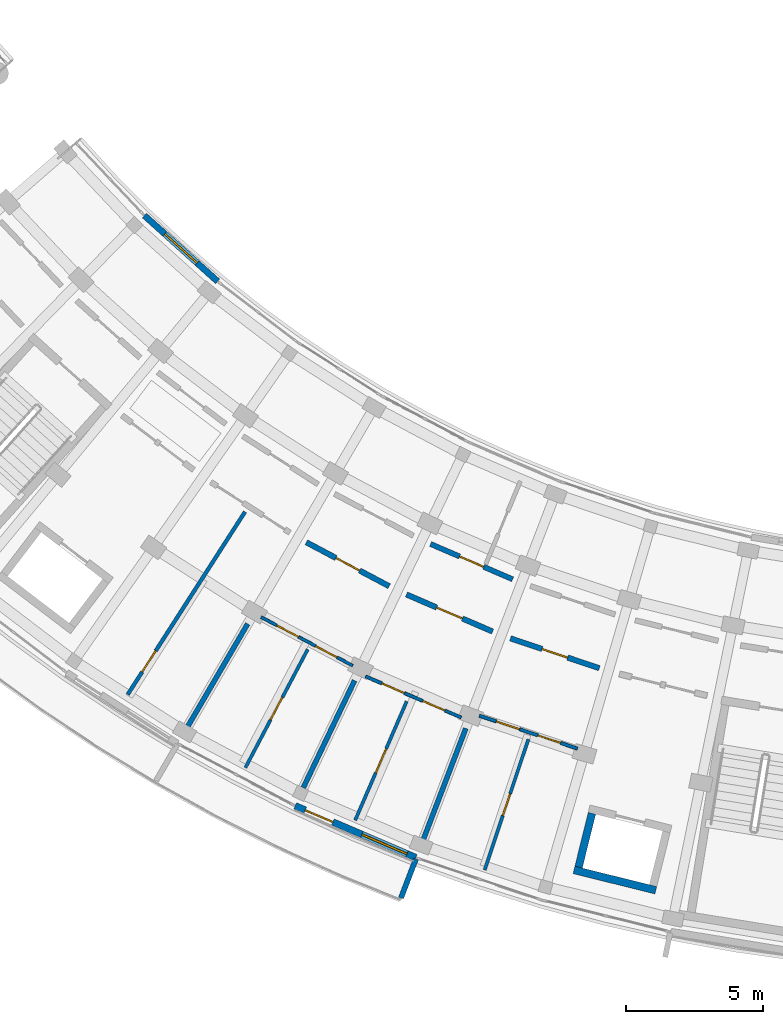
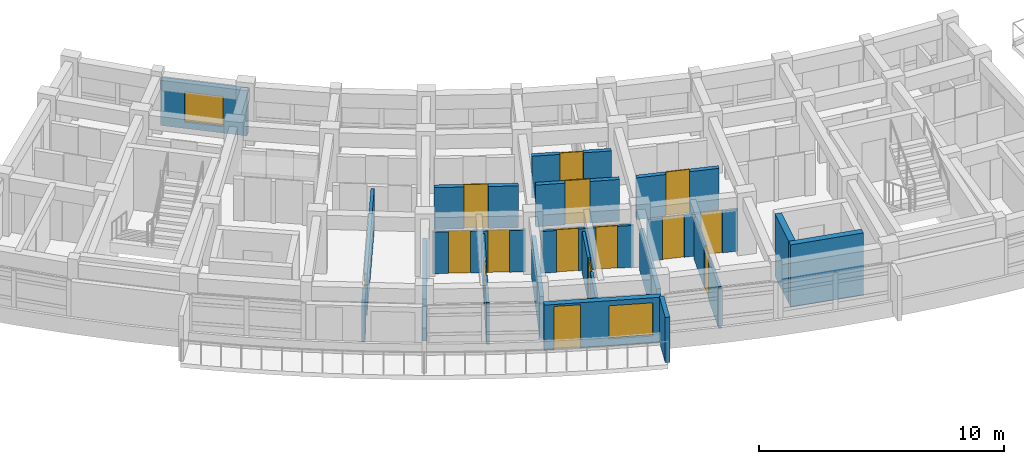
# One storey, part 33 of 54: 19 walls, 15 doors, 2 windows, 17 openings.
"""IFC4 building model written with IfcOpenShell, lengths in metres."""

from ifc_helpers import new_model, si_unit, direction, frame, frame_2d, origin, place, context, subcontext, project, spatial, rectangle, extrude, material, layer, layer_set, type_object, element, fill, save


model = new_model("IFC4")

# Units and contexts
model_context = context("Model", 3, precision=1e-05, world=origin(), true_north=direction((0.0, 1.0)))
body_context = subcontext(model_context, "Body", "Model", "MODEL_VIEW")
ifc_project = project(units=[si_unit("LENGTHUNIT", "METRE"), si_unit("AREAUNIT", "SQUARE_METRE"), si_unit("VOLUMEUNIT", "CUBIC_METRE"), si_unit("PLANEANGLEUNIT", "RADIAN"), si_unit("MASSUNIT", "GRAM", prefix="KILO")], contexts=[model_context])

# Site, building, storey
site_placement = place(None, origin())
site = spatial("IfcSite", under=ifc_project, at=site_placement, CompositionType="ELEMENT")
building_placement = place(site_placement, origin())
building = spatial("IfcBuilding", under=site, at=building_placement, Name="Zimvara Arc Housing Community", CompositionType="ELEMENT")
storey_placement = place(building_placement, frame((0.0, 0.0, 20.5)))
storey = spatial("IfcBuildingStorey", under=building, at=storey_placement, Name="L06", CompositionType="ELEMENT", Elevation=20.5)

# Wall, opening, window
ifc_material_1 = material(Name="Board-Marked Fair-Faced Concrete C35/45", Category="concrete")
ifc_layer_1 = layer(ifc_material_1, 0.22998046875)
ifc_layer_set_1 = layer_set([ifc_layer_1], Name="Board-Marked Fair-Faced Concrete C35/45")
wall_type_1 = type_object("IfcWallType", Name="EWL-CONC-230", PredefinedType="SOLIDWALL", material=ifc_layer_set_1)
wall_1_placement = place(storey_placement, frame((94.8203125, 77.92333984375, 0.0), z_axis=(0.0, 0.0, 1.0), x_axis=(0.743385092197, -0.668863666751, 0.0)))
wall_1 = element("IfcWall", 1, at=wall_1_placement, inside=storey, type_object=wall_type_1, Name="ewall:blkC:L06:in:b1", PredefinedType="SOLIDWALL", context=body_context, shape_type="SweptSolid", body=[
    extrude(rectangle(XDim=3.603759765625, YDim=0.22998046875, at=frame_2d((1.8017578125, 0.0))), origin(), (0.0, 0.0, 1.0), 2.25),
])
opening_1_placement = place(wall_1_placement, frame((1.001708984375, 0.0, 0.320068359375)))
opening_1 = element("IfcOpeningElement", 2, at=opening_1_placement, cuts=wall_1, Name="Opening W03", PredefinedType="OPENING", context=body_context, shape_type="SweptSolid", body=[
    extrude(rectangle(XDim=1.60009765625, YDim=1.5, at=frame_2d((0.800048828125, 0.75))), frame((0.0, 0.125, 0.0), z_axis=(0.0, -1.0, 0.0), x_axis=(1.0, 0.0, 0.0)), (0.0, 0.0, 1.0), 0.25),
])
ifc_material_2 = material(Name="Solar Control Low-E Double Glazing", Category="glass")
window_type_1 = type_object("IfcWindowType", Name="WIN-RES-1600x1500", PartitioningType="DOUBLE_PANEL_VERTICAL", PredefinedType="WINDOW", material=ifc_material_2)
window_1_placement = place(opening_1_placement, origin())
window_1 = element("IfcWindow", 3, at=window_1_placement, inside=storey, type_object=window_type_1, Name="win:blkC:L06:in:b1", OverallHeight=1.5, OverallWidth=1.60009765625, PartitioningType="DOUBLE_PANEL_VERTICAL", PredefinedType="WINDOW", context=body_context, shape_type="SweptSolid", body=[
    extrude(rectangle(XDim=1.60009765625, YDim=1.5, at=frame_2d((0.800048828125, 0.75))), frame((0.0, 0.030029296875, 0.0), z_axis=(0.0, -1.0, 0.0), x_axis=(1.0, 0.0, 0.0)), (0.0, 0.0, 1.0), 0.06005859375),
])
fill(opening_1, window_1)

# Wall
ifc_material_3 = material(Name="Board-Marked Fair-Faced Concrete C35/45", Category="concrete")
ifc_layer_2 = layer(ifc_material_3, 0.195068359375)
ifc_layer_set_2 = layer_set([ifc_layer_2], Name="Board-Marked Fair-Faced Concrete C35/45")
wall_type_2 = type_object("IfcWallType", Name="EWL-PARA-195", PredefinedType="PARAPET", material=ifc_layer_set_2)
wall_2_placement = place(storey_placement, frame((104.76318359375, 54.35693359375, 0.0), z_axis=(0.0, 0.0, 1.0), x_axis=(-0.356957296461, -0.934120703391, 0.0)))
element("IfcWall", 4, at=wall_2_placement, inside=storey, type_object=wall_type_2, Name="finwall:blkC:L06:out:b6", PredefinedType="PARAPET", context=body_context, shape_type="SweptSolid", body=[
    extrude(rectangle(XDim=1.530029296875, YDim=0.195068359375, at=frame_2d((0.76513671875, 0.0))), origin(), (0.0, 0.0, 1.0), 2.25),
])

# Wall, openings, door, window
ifc_material_4 = material(Name="Board-Marked Fair-Faced Concrete C35/45", Category="concrete")
ifc_layer_3 = layer(ifc_material_4, 0.251953125)
ifc_layer_set_3 = layer_set([ifc_layer_3], Name="Board-Marked Fair-Faced Concrete C35/45")
wall_type_3 = type_object("IfcWallType", Name="EWL-VAR-18", PredefinedType="SOLIDWALL", material=ifc_layer_set_3)
wall_3_placement = place(storey_placement, frame((100.341064453125, 56.30126953125, 0.0), z_axis=(0.0, 0.0, 1.0), x_axis=(0.918737524932, -0.39486878869, 0.0)))
wall_3 = element("IfcWall", 5, at=wall_3_placement, inside=storey, type_object=wall_type_3, Name="ewall:blkC:L06:out:b5", PredefinedType="SOLIDWALL", context=body_context, shape_type="SweptSolid", body=[
    extrude(rectangle(XDim=4.80908203125, YDim=0.251953125, at=frame_2d((2.404541015625, 0.0))), origin(), (0.0, 0.0, 1.0), 2.25),
])
opening_2_placement = place(wall_3_placement, frame((0.39990234375, 0.0, 0.0)))
opening_2 = element("IfcOpeningElement", 6, at=opening_2_placement, cuts=wall_3, Name="Opening ED06", PredefinedType="OPENING", context=body_context, shape_type="SweptSolid", body=[
    extrude(rectangle(XDim=1.10009765625, YDim=2.14990234375, at=frame_2d((0.550048828125, 1.074951171875))), frame((0.0, 0.135986328125, 0.0), z_axis=(0.0, -1.0, 0.0), x_axis=(1.0, 0.0, 0.0)), (0.0, 0.0, 1.0), 0.27197265625),
])
opening_3_placement = place(wall_3_placement, frame((2.658935546875, 0.0, 0.35009765625)))
opening_3 = element("IfcOpeningElement", 7, at=opening_3_placement, cuts=wall_3, Name="Opening W08", PredefinedType="OPENING", context=body_context, shape_type="SweptSolid", body=[
    extrude(rectangle(XDim=1.800048828125, YDim=1.64990234375, at=frame_2d((0.89990234375, 0.824951171875))), frame((0.0, 0.135986328125, 0.0), z_axis=(0.0, -1.0, 0.0), x_axis=(1.0, 0.0, 0.0)), (0.0, 0.0, 1.0), 0.27197265625),
])
ifc_material_5 = material(Name="Anodised Aluminium AW-6063", Category="aluminium")
door_type_1 = type_object("IfcDoorType", Name="EDR-TERR-1100x2150", OperationType="NOTDEFINED", PredefinedType="DOOR", material=ifc_material_5)
door_1_placement = place(opening_2_placement, origin())
door_1 = element("IfcDoor", 8, at=door_1_placement, inside=storey, type_object=door_type_1, Name="edoor:blkC:L06:bal_out:b5", OperationType="SINGLE_SWING_LEFT", OverallHeight=2.14990234375, OverallWidth=1.10009765625, PredefinedType="DOOR", context=body_context, shape_type="SweptSolid", body=[
    extrude(rectangle(XDim=1.10009765625, YDim=2.14990234375, at=frame_2d((0.550048828125, 1.074951171875))), frame((0.0, 0.02490234375, 0.0), z_axis=(0.0, -1.0, 0.0), x_axis=(1.0, 0.0, 0.0)), (0.0, 0.0, 1.0), 0.050048828125),
])
fill(opening_2, door_1)
ifc_material_6 = material(Name="Solar Control Low-E Double Glazing", Category="glass")
window_type_2 = type_object("IfcWindowType", Name="WIN-RES-1800x1650", PartitioningType="TRIPLE_PANEL_VERTICAL", PredefinedType="WINDOW", material=ifc_material_6)
window_2_placement = place(opening_3_placement, origin())
window_2 = element("IfcWindow", 9, at=window_2_placement, inside=storey, type_object=window_type_2, Name="win:blkC:L06:out:b5:balw", OverallHeight=1.64990234375, OverallWidth=1.800048828125, PartitioningType="TRIPLE_PANEL_VERTICAL", PredefinedType="WINDOW", context=body_context, shape_type="SweptSolid", body=[
    extrude(rectangle(XDim=1.800048828125, YDim=1.64990234375, at=frame_2d((0.89990234375, 0.824951171875))), frame((0.0, 0.030029296875, 0.0), z_axis=(0.0, -1.0, 0.0), x_axis=(1.0, 0.0, 0.0)), (0.0, 0.0, 1.0), 0.06005859375),
])
fill(opening_3, window_2)

# Wall, opening, door
ifc_material_7 = material(Name="Concrete C35/45", Category="concrete")
ifc_layer_4 = layer(ifc_material_7, 0.18994140625)
ifc_layer_set_4 = layer_set([ifc_layer_4], Name="Concrete C35/45")
wall_type_4 = type_object("IfcWallType", Name="IWL-CORR-190", PredefinedType="SOLIDWALL", material=ifc_layer_set_4)
wall_4_placement = place(storey_placement, frame((105.30224609375, 65.892822265625, 0.0), z_axis=(0.0, 0.0, 1.0), x_axis=(0.918723391052, -0.394901672235, 0.0)))
wall_4 = element("IfcWall", 10, at=wall_4_placement, inside=storey, type_object=wall_type_4, Name="iwall:blkC:L06:corr_in:b5", PredefinedType="SOLIDWALL", context=body_context, shape_type="SweptSolid", body=[
    extrude(rectangle(XDim=3.2685546875, YDim=0.18994140625, at=frame_2d((1.63427734375, 0.0))), origin(), (0.0, 0.0, 1.0), 2.080078125),
])
opening_4_placement = place(wall_4_placement, frame((1.154296875, 0.0, 0.0)))
opening_4 = element("IfcOpeningElement", 11, at=opening_4_placement, cuts=wall_4, Name="Opening D04", PredefinedType="OPENING", context=body_context, shape_type="SweptSolid", body=[
    extrude(rectangle(XDim=0.9599609375, YDim=2.10009765625, at=frame_2d((0.47998046875, 1.050048828125))), frame((0.0, 0.10498046875, 0.0), z_axis=(0.0, -1.0, 0.0), x_axis=(1.0, 0.0, 0.0)), (0.0, 0.0, 1.0), 0.2099609375),
])
ifc_material_8 = material(Name="Mozambican Hardwood", Category="wood")
door_type_2 = type_object("IfcDoorType", Name="IDR-RM-0960x2100", OperationType="NOTDEFINED", PredefinedType="DOOR", material=ifc_material_8)
door_2_placement = place(opening_4_placement, origin())
door_2 = element("IfcDoor", 12, at=door_2_placement, inside=storey, type_object=door_type_2, Name="idoor:blkC:L06:in_rm:b5", OperationType="SINGLE_SWING_RIGHT", OverallHeight=2.10009765625, OverallWidth=0.9599609375, PredefinedType="DOOR", context=body_context, shape_type="SweptSolid", body=[
    extrude(rectangle(XDim=0.9599609375, YDim=2.10009765625, at=frame_2d((0.47998046875, 1.050048828125))), frame((0.0, 0.02490234375, 0.0), z_axis=(0.0, -1.0, 0.0), x_axis=(1.0, 0.0, 0.0)), (0.0, 0.0, 1.0), 0.050048828125),
])
fill(opening_4, door_2)

ifc_material_9 = material(Name="Concrete C35/45", Category="concrete")
ifc_layer_5 = layer(ifc_material_9, 0.199951171875)
ifc_layer_set_5 = layer_set([ifc_layer_5], Name="Concrete C35/45")
wall_type_5 = type_object("IfcWallType", Name="IWL-CORR-200", PredefinedType="SOLIDWALL", material=ifc_layer_set_5)
wall_5_placement = place(storey_placement, frame((100.750244140625, 65.9560546875, 0.0), z_axis=(0.0, 0.0, 1.0), x_axis=(0.883440266101, -0.468543803963, 0.0)))
wall_5 = element("IfcWall", 13, at=wall_5_placement, inside=storey, type_object=wall_type_5, Name="iwall:blkC:L06:corr_out:b4", PredefinedType="SOLIDWALL", context=body_context, shape_type="SweptSolid", body=[
    extrude(rectangle(XDim=3.435791015625, YDim=0.199951171875, at=frame_2d((1.7177734375, 0.0))), origin(), (0.0, 0.0, 1.0), 2.080078125),
])
opening_5_placement = place(wall_5_placement, frame((1.22802734375, 0.0, 0.0)))
opening_5 = element("IfcOpeningElement", 14, at=opening_5_placement, cuts=wall_5, Name="Opening FD-FL1", PredefinedType="OPENING", context=body_context, shape_type="SweptSolid", body=[
    extrude(rectangle(XDim=0.97998046875, YDim=2.14990234375, at=frame_2d((0.489990234375, 1.074951171875))), frame((0.0, 0.10986328125, 0.0), z_axis=(0.0, -1.0, 0.0), x_axis=(1.0, 0.0, 0.0)), (0.0, 0.0, 1.0), 0.219970703125),
])
ifc_material_10 = material(Name="Mozambican Hardwood", Category="wood")
door_type_3 = type_object("IfcDoorType", Name="IDR-FLAT-0980x2150", OperationType="NOTDEFINED", PredefinedType="DOOR", material=ifc_material_10)
door_3_placement = place(opening_5_placement, origin())
door_3 = element("IfcDoor", 15, at=door_3_placement, inside=storey, type_object=door_type_3, Name="idoor:blkC:L06:flat:b4", OperationType="SINGLE_SWING_RIGHT", OverallHeight=2.14990234375, OverallWidth=0.97998046875, PredefinedType="DOOR", context=body_context, shape_type="SweptSolid", body=[
    extrude(rectangle(XDim=0.97998046875, YDim=2.14990234375, at=frame_2d((0.489990234375, 1.074951171875))), frame((0.0, 0.02490234375, 0.0), z_axis=(0.0, -1.0, 0.0), x_axis=(1.0, 0.0, 0.0)), (0.0, 0.0, 1.0), 0.050048828125),
])
fill(opening_5, door_3)

wall_6_placement = place(storey_placement, frame((104.41650390625, 64.0439453125, 0.0), z_axis=(0.0, 0.0, 1.0), x_axis=(0.918718172399, -0.394913813008, 0.0)))
wall_6 = element("IfcWall", 16, at=wall_6_placement, inside=storey, type_object=wall_type_5, Name="iwall:blkC:L06:corr_out:b5", PredefinedType="SOLIDWALL", context=body_context, shape_type="SweptSolid", body=[
    extrude(rectangle(XDim=3.43603515625, YDim=0.199951171875, at=frame_2d((1.718017578125, 0.0))), origin(), (0.0, 0.0, 1.0), 2.080078125),
])
opening_6_placement = place(wall_6_placement, frame((1.2080078125, 0.0, 0.0)))
opening_6 = element("IfcOpeningElement", 17, at=opening_6_placement, cuts=wall_6, Name="Opening FD-FL2", PredefinedType="OPENING", context=body_context, shape_type="SweptSolid", body=[
    extrude(rectangle(XDim=1.02001953125, YDim=2.14990234375, at=frame_2d((0.510009765625, 1.074951171875))), frame((0.0, 0.10986328125, 0.0), z_axis=(0.0, -1.0, 0.0), x_axis=(1.0, 0.0, 0.0)), (0.0, 0.0, 1.0), 0.219970703125),
])
ifc_material_11 = material(Name="Mozambican Hardwood", Category="wood")
door_type_4 = type_object("IfcDoorType", Name="IDR-FLAT-1020x2150", OperationType="NOTDEFINED", PredefinedType="DOOR", material=ifc_material_11)
door_4_placement = place(opening_6_placement, origin())
door_4 = element("IfcDoor", 18, at=door_4_placement, inside=storey, type_object=door_type_4, Name="idoor:blkC:L06:flat:b5", OperationType="SINGLE_SWING_LEFT", OverallHeight=2.14990234375, OverallWidth=1.02001953125, PredefinedType="DOOR", context=body_context, shape_type="SweptSolid", body=[
    extrude(rectangle(XDim=1.02001953125, YDim=2.14990234375, at=frame_2d((0.510009765625, 1.074951171875))), frame((0.0, 0.02490234375, 0.0), z_axis=(0.0, -1.0, 0.0), x_axis=(1.0, 0.0, 0.0)), (0.0, 0.0, 1.0), 0.050048828125),
])
fill(opening_6, door_4)

wall_7_placement = place(storey_placement, frame((108.2265625, 62.437255859375, 0.0), z_axis=(0.0, 0.0, 1.0), x_axis=(0.947884468821, -0.318614239745, 0.0)))
wall_7 = element("IfcWall", 19, at=wall_7_placement, inside=storey, type_object=wall_type_5, Name="iwall:blkC:L06:corr_out:b6", PredefinedType="SOLIDWALL", context=body_context, shape_type="SweptSolid", body=[
    extrude(rectangle(XDim=3.435791015625, YDim=0.199951171875, at=frame_2d((1.7177734375, 0.0))), origin(), (0.0, 0.0, 1.0), 2.080078125),
])
opening_7_placement = place(wall_7_placement, frame((1.22802734375, 0.0, 0.0)))
opening_7 = element("IfcOpeningElement", 20, at=opening_7_placement, cuts=wall_7, Name="Opening FD-FL1", PredefinedType="OPENING", context=body_context, shape_type="SweptSolid", body=[
    extrude(rectangle(XDim=0.97998046875, YDim=2.14990234375, at=frame_2d((0.489990234375, 1.074951171875))), frame((0.0, 0.10986328125, 0.0), z_axis=(0.0, -1.0, 0.0), x_axis=(1.0, 0.0, 0.0)), (0.0, 0.0, 1.0), 0.219970703125),
])
door_5_placement = place(opening_7_placement, origin())
door_5 = element("IfcDoor", 21, at=door_5_placement, inside=storey, type_object=door_type_3, Name="idoor:blkC:L06:flat:b6", OperationType="SINGLE_SWING_LEFT", OverallHeight=2.14990234375, OverallWidth=0.97998046875, PredefinedType="DOOR", context=body_context, shape_type="SweptSolid", body=[
    extrude(rectangle(XDim=0.97998046875, YDim=2.14990234375, at=frame_2d((0.489990234375, 1.074951171875))), frame((0.0, 0.02490234375, 0.0), z_axis=(0.0, -1.0, 0.0), x_axis=(1.0, 0.0, 0.0)), (0.0, 0.0, 1.0), 0.050048828125),
])
fill(opening_7, door_5)

# Walls
ifc_material_12 = material(Name="Concrete C35/45", Category="concrete")
ifc_layer_6 = layer(ifc_material_12, 0.18505859375)
ifc_layer_set_6 = layer_set([ifc_layer_6], Name="Concrete C35/45")
wall_type_6 = type_object("IfcWallType", Name="IWL-FLAT-185", PredefinedType="SOLIDWALL", material=ifc_layer_set_6)
wall_8_placement = place(storey_placement, frame((98.6005859375, 62.968017578125, 0.0), z_axis=(0.0, 0.0, 1.0), x_axis=(-0.504216452091, -0.863577309475, 0.0)))
element("IfcWall", 22, at=wall_8_placement, inside=storey, type_object=wall_type_6, Name="iwall:blkC:L06:party:b4", PredefinedType="SOLIDWALL", context=body_context, shape_type="SweptSolid", body=[
    extrude(rectangle(XDim=4.35009765625, YDim=0.18505859375, at=frame_2d((2.175048828125, 0.0))), origin(), (0.0, 0.0, 1.0), 2.080078125),
])
wall_9_placement = place(storey_placement, frame((102.517822265625, 60.890380859375, 0.0), z_axis=(0.0, 0.0, 1.0), x_axis=(-0.432108769108, -0.901821496561, 0.0)))
element("IfcWall", 23, at=wall_9_placement, inside=storey, type_object=wall_type_6, Name="iwall:blkC:L06:party:b5", PredefinedType="SOLIDWALL", context=body_context, shape_type="SweptSolid", body=[
    extrude(rectangle(XDim=4.349853515625, YDim=0.18505859375, at=frame_2d((2.1748046875, 0.0))), origin(), (0.0, 0.0, 1.0), 2.080078125),
])
wall_10_placement = place(storey_placement, frame((106.59130859375, 59.139404296875, 0.0), z_axis=(0.0, 0.0, 1.0), x_axis=(-0.357064016205, -0.934079915388, 0.0)))
element("IfcWall", 24, at=wall_10_placement, inside=storey, type_object=wall_type_6, Name="iwall:blkC:L06:party:b6", PredefinedType="SOLIDWALL", context=body_context, shape_type="SweptSolid", body=[
    extrude(rectangle(XDim=4.35009765625, YDim=0.18505859375, at=frame_2d((2.175048828125, 0.0))), origin(), (0.0, 0.0, 1.0), 2.080078125),
])

# Wall, openings, doors
ifc_material_13 = material(Name="Painted Acoustic Plasterboard")
ifc_layer_7 = layer(ifc_material_13, 0.10498046875)
ifc_layer_set_7 = layer_set([ifc_layer_7], Name="Painted Acoustic Plasterboard")
wall_type_7 = type_object("IfcWallType", Name="IWL-PART-105", PredefinedType="PARTITIONING", material=ifc_layer_set_7)
wall_11_placement = place(storey_placement, frame((99.092529296875, 63.216064453125, 0.0), z_axis=(0.0, 0.0, 1.0), x_axis=(0.883432667361, -0.468558131121, 0.0)))
wall_11 = element("IfcWall", 25, at=wall_11_placement, inside=storey, type_object=wall_type_7, Name="iwall:blkC:L06:srv:b4", PredefinedType="PARTITIONING", context=body_context, shape_type="SweptSolid", body=[
    extrude(rectangle(XDim=3.79736328125, YDim=0.10498046875, at=frame_2d((1.898681640625, 0.0))), origin(), (0.0, 0.0, 1.0), 2.080078125),
])
opening_8_placement = place(wall_11_placement, frame((0.64990234375, 0.0, 0.0)))
opening_8 = element("IfcOpeningElement", 26, at=opening_8_placement, cuts=wall_11, Name="Opening D01", PredefinedType="OPENING", context=body_context, shape_type="SweptSolid", body=[
    extrude(rectangle(XDim=0.89990234375, YDim=2.10009765625, at=frame_2d((0.449951171875, 1.050048828125))), frame((0.0, 0.0625, 0.0), z_axis=(0.0, -1.0, 0.0), x_axis=(1.0, 0.0, 0.0)), (0.0, 0.0, 1.0), 0.125),
])
opening_9_placement = place(wall_11_placement, frame((2.267333984375, 0.0, 0.0)))
opening_9 = element("IfcOpeningElement", 27, at=opening_9_placement, cuts=wall_11, Name="Opening D05", PredefinedType="OPENING", context=body_context, shape_type="SweptSolid", body=[
    extrude(rectangle(XDim=0.8798828125, YDim=2.10009765625, at=frame_2d((0.43994140625, 1.050048828125))), frame((0.0, 0.0625, 0.0), z_axis=(0.0, -1.0, 0.0), x_axis=(1.0, 0.0, 0.0)), (0.0, 0.0, 1.0), 0.125),
])
ifc_material_14 = material(Name="Mozambican Hardwood", Category="wood")
door_type_5 = type_object("IfcDoorType", Name="IDR-RM-0900x2100", OperationType="NOTDEFINED", PredefinedType="DOOR", material=ifc_material_14)
door_6_placement = place(opening_8_placement, origin())
door_6 = element("IfcDoor", 28, at=door_6_placement, inside=storey, type_object=door_type_5, Name="idoor:blkC:L06:kit_liv:b4", OperationType="SINGLE_SWING_RIGHT", OverallHeight=2.10009765625, OverallWidth=0.89990234375, PredefinedType="DOOR", context=body_context, shape_type="SweptSolid", body=[
    extrude(rectangle(XDim=0.89990234375, YDim=2.10009765625, at=frame_2d((0.449951171875, 1.050048828125))), frame((0.0, 0.02490234375, 0.0), z_axis=(0.0, -1.0, 0.0), x_axis=(1.0, 0.0, 0.0)), (0.0, 0.0, 1.0), 0.050048828125),
])
fill(opening_8, door_6)
ifc_material_15 = material(Name="Mozambican Hardwood", Category="wood")
door_type_6 = type_object("IfcDoorType", Name="IDR-WC-0880x2100", OperationType="NOTDEFINED", PredefinedType="DOOR", material=ifc_material_15)
door_7_placement = place(opening_9_placement, origin())
door_7 = element("IfcDoor", 29, at=door_7_placement, inside=storey, type_object=door_type_6, Name="idoor:blkC:L06:bath_d:b4", OperationType="SINGLE_SWING_LEFT", OverallHeight=2.10009765625, OverallWidth=0.8798828125, PredefinedType="DOOR", context=body_context, shape_type="SweptSolid", body=[
    extrude(rectangle(XDim=0.8798828125, YDim=2.10009765625, at=frame_2d((0.43994140625, 1.050048828125))), frame((0.0, 0.02490234375, 0.0), z_axis=(0.0, -1.0, 0.0), x_axis=(1.0, 0.0, 0.0)), (0.0, 0.0, 1.0), 0.050048828125),
])
fill(opening_9, door_7)

ifc_material_16 = material(Name="Painted Acoustic Plasterboard")
ifc_layer_8 = layer(ifc_material_16, 0.110107421875)
ifc_layer_set_8 = layer_set([ifc_layer_8], Name="Painted Acoustic Plasterboard")
wall_type_8 = type_object("IfcWallType", Name="IWL-PART-110", PredefinedType="PARTITIONING", material=ifc_layer_set_8)
wall_12_placement = place(storey_placement, frame((102.923095703125, 61.04248046875, 0.0), z_axis=(0.0, 0.0, 1.0), x_axis=(0.918716859611, -0.394916867033, 0.0)))
wall_12 = element("IfcWall", 30, at=wall_12_placement, inside=storey, type_object=wall_type_8, Name="iwall:blkC:L06:srv:b5", PredefinedType="PARTITIONING", context=body_context, shape_type="SweptSolid", body=[
    extrude(rectangle(XDim=3.809326171875, YDim=0.110107421875, at=frame_2d((1.90478515625, 0.0))), origin(), (0.0, 0.0, 1.0), 2.080078125),
])
opening_10_placement = place(wall_12_placement, frame((0.64990234375, 0.0, 0.0)))
opening_10 = element("IfcOpeningElement", 31, at=opening_10_placement, cuts=wall_12, Name="Opening D01", PredefinedType="OPENING", context=body_context, shape_type="SweptSolid", body=[
    extrude(rectangle(XDim=0.89990234375, YDim=2.10009765625, at=frame_2d((0.449951171875, 1.050048828125))), frame((0.0, 0.06494140625, 0.0), z_axis=(0.0, -1.0, 0.0), x_axis=(1.0, 0.0, 0.0)), (0.0, 0.0, 1.0), 0.130126953125),
])
opening_11_placement = place(wall_12_placement, frame((2.279541015625, 0.0, 0.0)))
opening_11 = element("IfcOpeningElement", 32, at=opening_11_placement, cuts=wall_12, Name="Opening D05", PredefinedType="OPENING", context=body_context, shape_type="SweptSolid", body=[
    extrude(rectangle(XDim=0.8798828125, YDim=2.10009765625, at=frame_2d((0.43994140625, 1.050048828125))), frame((0.0, 0.06494140625, 0.0), z_axis=(0.0, -1.0, 0.0), x_axis=(1.0, 0.0, 0.0)), (0.0, 0.0, 1.0), 0.130126953125),
])
door_8_placement = place(opening_10_placement, origin())
door_8 = element("IfcDoor", 33, at=door_8_placement, inside=storey, type_object=door_type_5, Name="idoor:blkC:L06:kit_liv:b5", OperationType="SINGLE_SWING_RIGHT", OverallHeight=2.10009765625, OverallWidth=0.89990234375, PredefinedType="DOOR", context=body_context, shape_type="SweptSolid", body=[
    extrude(rectangle(XDim=0.89990234375, YDim=2.10009765625, at=frame_2d((0.449951171875, 1.050048828125))), frame((0.0, 0.02490234375, 0.0), z_axis=(0.0, -1.0, 0.0), x_axis=(1.0, 0.0, 0.0)), (0.0, 0.0, 1.0), 0.050048828125),
])
fill(opening_10, door_8)
door_9_placement = place(opening_11_placement, origin())
door_9 = element("IfcDoor", 34, at=door_9_placement, inside=storey, type_object=door_type_6, Name="idoor:blkC:L06:bath_d:b5", OperationType="SINGLE_SWING_LEFT", OverallHeight=2.10009765625, OverallWidth=0.8798828125, PredefinedType="DOOR", context=body_context, shape_type="SweptSolid", body=[
    extrude(rectangle(XDim=0.8798828125, YDim=2.10009765625, at=frame_2d((0.43994140625, 1.050048828125))), frame((0.0, 0.02490234375, 0.0), z_axis=(0.0, -1.0, 0.0), x_axis=(1.0, 0.0, 0.0)), (0.0, 0.0, 1.0), 0.050048828125),
])
fill(opening_11, door_9)

ifc_material_17 = material(Name="Painted Acoustic Plasterboard")
ifc_layer_9 = layer(ifc_material_17, 0.114990234375)
ifc_layer_set_9 = layer_set([ifc_layer_9], Name="Painted Acoustic Plasterboard")
wall_type_9 = type_object("IfcWallType", Name="IWL-PART-115", PredefinedType="PARTITIONING", material=ifc_layer_set_9)
wall_13_placement = place(storey_placement, frame((107.090087890625, 59.604248046875, 0.0), z_axis=(0.0, 0.0, 1.0), x_axis=(0.947873924847, -0.318645606584, 0.0)))
wall_13 = element("IfcWall", 35, at=wall_13_placement, inside=storey, type_object=wall_type_9, Name="iwall:blkC:L06:srv:b6", PredefinedType="PARTITIONING", context=body_context, shape_type="SweptSolid", body=[
    extrude(rectangle(XDim=3.784912109375, YDim=0.114990234375, at=frame_2d((1.892578125, 0.0))), origin(), (0.0, 0.0, 1.0), 2.080078125),
])
opening_12_placement = place(wall_13_placement, frame((0.64990234375, 0.0, 0.0)))
opening_12 = element("IfcOpeningElement", 36, at=opening_12_placement, cuts=wall_13, Name="Opening D01", PredefinedType="OPENING", context=body_context, shape_type="SweptSolid", body=[
    extrude(rectangle(XDim=0.89990234375, YDim=2.10009765625, at=frame_2d((0.449951171875, 1.050048828125))), frame((0.0, 0.0673828125, 0.0), z_axis=(0.0, -1.0, 0.0), x_axis=(1.0, 0.0, 0.0)), (0.0, 0.0, 1.0), 0.135009765625),
])
opening_13_placement = place(wall_13_placement, frame((2.255126953125, 0.0, 0.0)))
opening_13 = element("IfcOpeningElement", 37, at=opening_13_placement, cuts=wall_13, Name="Opening D05", PredefinedType="OPENING", context=body_context, shape_type="SweptSolid", body=[
    extrude(rectangle(XDim=0.8798828125, YDim=2.10009765625, at=frame_2d((0.43994140625, 1.050048828125))), frame((0.0, 0.0673828125, 0.0), z_axis=(0.0, -1.0, 0.0), x_axis=(1.0, 0.0, 0.0)), (0.0, 0.0, 1.0), 0.135009765625),
])
door_10_placement = place(opening_12_placement, origin())
door_10 = element("IfcDoor", 38, at=door_10_placement, inside=storey, type_object=door_type_5, Name="idoor:blkC:L06:kit_liv:b6", OperationType="SINGLE_SWING_LEFT", OverallHeight=2.10009765625, OverallWidth=0.89990234375, PredefinedType="DOOR", context=body_context, shape_type="SweptSolid", body=[
    extrude(rectangle(XDim=0.89990234375, YDim=2.10009765625, at=frame_2d((0.449951171875, 1.050048828125))), frame((0.0, 0.02490234375, 0.0), z_axis=(0.0, -1.0, 0.0), x_axis=(1.0, 0.0, 0.0)), (0.0, 0.0, 1.0), 0.050048828125),
])
fill(opening_12, door_10)
door_11_placement = place(opening_13_placement, origin())
door_11 = element("IfcDoor", 39, at=door_11_placement, inside=storey, type_object=door_type_6, Name="idoor:blkC:L06:bath_d:b6", OperationType="SINGLE_SWING_RIGHT", OverallHeight=2.10009765625, OverallWidth=0.8798828125, PredefinedType="DOOR", context=body_context, shape_type="SweptSolid", body=[
    extrude(rectangle(XDim=0.8798828125, YDim=2.10009765625, at=frame_2d((0.43994140625, 1.050048828125))), frame((0.0, 0.02490234375, 0.0), z_axis=(0.0, -1.0, 0.0), x_axis=(1.0, 0.0, 0.0)), (0.0, 0.0, 1.0), 0.050048828125),
])
fill(opening_13, door_11)

# Wall, opening, door
ifc_material_18 = material(Name="Painted Acoustic Plasterboard")
ifc_layer_10 = layer(ifc_material_18, 0.1201171875)
ifc_layer_set_10 = layer_set([ifc_layer_10], Name="Painted Acoustic Plasterboard")
wall_type_10 = type_object("IfcWallType", Name="IWL-PART-120", PredefinedType="PARTITIONING", material=ifc_layer_set_10)
wall_14_placement = place(storey_placement, frame((100.799072265625, 62.033935546875, 0.0), z_axis=(0.0, 0.0, 1.0), x_axis=(-0.465869641373, -0.884853364828, 0.0)))
wall_14 = element("IfcWall", 40, at=wall_14_placement, inside=storey, type_object=wall_type_10, Name="iwall:blkC:L06:bed_div:b4", PredefinedType="PARTITIONING", context=body_context, shape_type="SweptSolid", body=[
    extrude(rectangle(XDim=4.89990234375, YDim=0.1201171875, at=frame_2d((2.449951171875, 0.0))), origin(), (0.0, 0.0, 1.0), 2.080078125),
])
opening_14_placement = place(wall_14_placement, frame((1.97998046875, 0.0, 0.0)))
opening_14 = element("IfcOpeningElement", 41, at=opening_14_placement, cuts=wall_14, Name="Opening D03", PredefinedType="OPENING", context=body_context, shape_type="SweptSolid", body=[
    extrude(rectangle(XDim=0.93994140625, YDim=2.10009765625, at=frame_2d((0.469970703125, 1.050048828125))), frame((0.0, 0.070068359375, 0.0), z_axis=(0.0, -1.0, 0.0), x_axis=(1.0, 0.0, 0.0)), (0.0, 0.0, 1.0), 0.14013671875),
])
ifc_material_19 = material(Name="Mozambican Hardwood", Category="wood")
door_type_7 = type_object("IfcDoorType", Name="IDR-RM-0940x2100", OperationType="NOTDEFINED", PredefinedType="DOOR", material=ifc_material_19)
door_12_placement = place(opening_14_placement, origin())
door_12 = element("IfcDoor", 42, at=door_12_placement, inside=storey, type_object=door_type_7, Name="idoor:blkC:L06:bed_d:b4", OperationType="SINGLE_SWING_RIGHT", OverallHeight=2.10009765625, OverallWidth=0.93994140625, PredefinedType="DOOR", context=body_context, shape_type="SweptSolid", body=[
    extrude(rectangle(XDim=0.93994140625, YDim=2.10009765625, at=frame_2d((0.469970703125, 1.050048828125))), frame((0.0, 0.02490234375, 0.0), z_axis=(0.0, -1.0, 0.0), x_axis=(1.0, 0.0, 0.0)), (0.0, 0.0, 1.0), 0.050048828125),
])
fill(opening_14, door_12)

wall_15_placement = place(storey_placement, frame((104.426025390625, 60.130126953125, 0.0), z_axis=(0.0, 0.0, 1.0), x_axis=(-0.39765647791, -0.917534372967, 0.0)))
wall_15 = element("IfcWall", 43, at=wall_15_placement, inside=storey, type_object=wall_type_10, Name="iwall:blkC:L06:bed_div:b5", PredefinedType="PARTITIONING", context=body_context, shape_type="SweptSolid", body=[
    extrude(rectangle(XDim=4.75, YDim=0.1201171875, at=frame_2d((2.375, 0.0))), origin(), (0.0, 0.0, 1.0), 2.080078125),
])
opening_15_placement = place(wall_15_placement, frame((1.89501953125, 0.0, 0.0)))
opening_15 = element("IfcOpeningElement", 44, at=opening_15_placement, cuts=wall_15, Name="Opening D04", PredefinedType="OPENING", context=body_context, shape_type="SweptSolid", body=[
    extrude(rectangle(XDim=0.9599609375, YDim=2.10009765625, at=frame_2d((0.47998046875, 1.050048828125))), frame((0.0, 0.070068359375, 0.0), z_axis=(0.0, -1.0, 0.0), x_axis=(1.0, 0.0, 0.0)), (0.0, 0.0, 1.0), 0.14013671875),
])
door_13_placement = place(opening_15_placement, origin())
door_13 = element("IfcDoor", 45, at=door_13_placement, inside=storey, type_object=door_type_2, Name="idoor:blkC:L06:bed_d:b5", OperationType="SINGLE_SWING_RIGHT", OverallHeight=2.10009765625, OverallWidth=0.9599609375, PredefinedType="DOOR", context=body_context, shape_type="SweptSolid", body=[
    extrude(rectangle(XDim=0.9599609375, YDim=2.10009765625, at=frame_2d((0.47998046875, 1.050048828125))), frame((0.0, 0.02490234375, 0.0), z_axis=(0.0, -1.0, 0.0), x_axis=(1.0, 0.0, 0.0)), (0.0, 0.0, 1.0), 0.050048828125),
])
fill(opening_15, door_13)

wall_16_placement = place(storey_placement, frame((108.883056640625, 58.743408203125, 0.0), z_axis=(0.0, 0.0, 1.0), x_axis=(-0.317199358555, -0.948358880874, 0.0)))
wall_16 = element("IfcWall", 46, at=wall_16_placement, inside=storey, type_object=wall_type_10, Name="iwall:blkC:L06:bed_div:b6", PredefinedType="PARTITIONING", context=body_context, shape_type="SweptSolid", body=[
    extrude(rectangle(XDim=5.0498046875, YDim=0.1201171875, at=frame_2d((2.52490234375, 0.0))), origin(), (0.0, 0.0, 1.0), 2.080078125),
])
opening_16_placement = place(wall_16_placement, frame((2.10009765625, 0.0, 0.0)))
opening_16 = element("IfcOpeningElement", 47, at=opening_16_placement, cuts=wall_16, Name="Opening D11", PredefinedType="OPENING", context=body_context, shape_type="SweptSolid", body=[
    extrude(rectangle(XDim=0.85009765625, YDim=2.10009765625, at=frame_2d((0.425048828125, 1.050048828125))), frame((0.0, 0.070068359375, 0.0), z_axis=(0.0, -1.0, 0.0), x_axis=(1.0, 0.0, 0.0)), (0.0, 0.0, 1.0), 0.14013671875),
])
ifc_material_20 = material(Name="Mozambican Hardwood", Category="wood")
door_type_8 = type_object("IfcDoorType", Name="IDR-MOD-850x2060", OperationType="NOTDEFINED", PredefinedType="DOOR", material=ifc_material_20)
door_14_placement = place(opening_16_placement, origin())
door_14 = element("IfcDoor", 48, at=door_14_placement, inside=storey, type_object=door_type_8, Name="idoor:blkC:L06:bed_d:b6", OperationType="SINGLE_SWING_LEFT", OverallHeight=2.10009765625, OverallWidth=0.85009765625, PredefinedType="DOOR", context=body_context, shape_type="SweptSolid", body=[
    extrude(rectangle(XDim=0.85009765625, YDim=2.10009765625, at=frame_2d((0.425048828125, 1.050048828125))), frame((0.0, 0.02490234375, 0.0), z_axis=(0.0, -1.0, 0.0), x_axis=(1.0, 0.0, 0.0)), (0.0, 0.0, 1.0), 0.050048828125),
])
fill(opening_16, door_14)

ifc_material_21 = material(Name="Painted Acoustic Plasterboard")
ifc_layer_11 = layer(ifc_material_21, 0.139892578125)
ifc_layer_set_11 = layer_set([ifc_layer_11], Name="Painted Acoustic Plasterboard")
wall_type_11 = type_object("IfcWallType", Name="IWL-PART-140", PredefinedType="PARTITIONING", material=ifc_layer_set_11)
wall_17_placement = place(storey_placement, frame((98.50390625, 67.072265625, 0.0), z_axis=(0.0, 0.0, 1.0), x_axis=(-0.540338452216, -0.841447774408, 0.0)))
wall_17 = element("IfcWall", 49, at=wall_17_placement, inside=storey, type_object=wall_type_11, Name="iwall:blkC:L06:amen_div:b3", PredefinedType="PARTITIONING", context=body_context, shape_type="SweptSolid", body=[
    extrude(rectangle(XDim=7.949951171875, YDim=0.139892578125, at=frame_2d((3.97509765625, 0.0))), origin(), (0.0, 0.0, 1.0), 2.080078125),
])
opening_17_placement = place(wall_17_placement, frame((6.050048828125, 0.0, 0.0)))
opening_17 = element("IfcOpeningElement", 50, at=opening_17_placement, cuts=wall_17, Name="Opening D02", PredefinedType="OPENING", context=body_context, shape_type="SweptSolid", body=[
    extrude(rectangle(XDim=0.919921875, YDim=2.10009765625, at=frame_2d((0.4599609375, 1.050048828125))), frame((0.0, 0.079833984375, 0.0), z_axis=(0.0, -1.0, 0.0), x_axis=(1.0, 0.0, 0.0)), (0.0, 0.0, 1.0), 0.159912109375),
])
ifc_material_22 = material(Name="Mozambican Hardwood", Category="wood")
door_type_9 = type_object("IfcDoorType", Name="IDR-RM-0920x2100", OperationType="NOTDEFINED", PredefinedType="DOOR", material=ifc_material_22)
door_15_placement = place(opening_17_placement, origin())
door_15 = element("IfcDoor", 51, at=door_15_placement, inside=storey, type_object=door_type_9, Name="idoor:blkC:L06:laund_d:b3", OperationType="SINGLE_SWING_LEFT", OverallHeight=2.10009765625, OverallWidth=0.919921875, PredefinedType="DOOR", context=body_context, shape_type="SweptSolid", body=[
    extrude(rectangle(XDim=0.919921875, YDim=2.10009765625, at=frame_2d((0.4599609375, 1.050048828125))), frame((0.0, 0.02490234375, 0.0), z_axis=(0.0, -1.0, 0.0), x_axis=(1.0, 0.0, 0.0)), (0.0, 0.0, 1.0), 0.050048828125),
])
fill(opening_17, door_15)

# Walls
ifc_material_23 = material(Name="Concrete C40/50", Category="concrete")
ifc_layer_12 = layer(ifc_material_23, 0.280029296875)
ifc_layer_set_12 = layer_set([ifc_layer_12], Name="Concrete C40/50")
wall_type_12 = type_object("IfcWallType", Name="WL-CORE-280", PredefinedType="SHEAR", material=ifc_layer_set_12)
wall_18_placement = place(storey_placement, frame((110.552978515625, 53.953857421875, 0.0), z_axis=(0.0, 0.0, 1.0), x_axis=(0.970725280816, -0.240192483614, 0.0)))
element("IfcWall", 52, at=wall_18_placement, inside=storey, type_object=wall_type_12, Name="lwall:LP-C2:L06:back", PredefinedType="SHEAR", context=body_context, shape_type="SweptSolid", body=[
    extrude(rectangle(XDim=3.090087890625, YDim=0.280029296875, at=frame_2d((1.544921875, 0.0))), origin(), (0.0, 0.0, 1.0), 3.10009765625),
])
wall_19_placement = place(storey_placement, frame((111.210205078125, 56.026611328125, 0.0), z_axis=(0.0, 0.0, 1.0), x_axis=(-0.240186044774, -0.970726873995, 0.0)))
element("IfcWall", 53, at=wall_19_placement, inside=storey, type_object=wall_type_12, Name="lwall:LP-C2:L06:left", PredefinedType="SHEAR", context=body_context, shape_type="SweptSolid", body=[
    extrude(rectangle(XDim=2.02978515625, YDim=0.280029296875, at=frame_2d((1.014892578125, 0.0))), origin(), (0.0, 0.0, 1.0), 3.10009765625),
])

save(model, "model.ifc")
